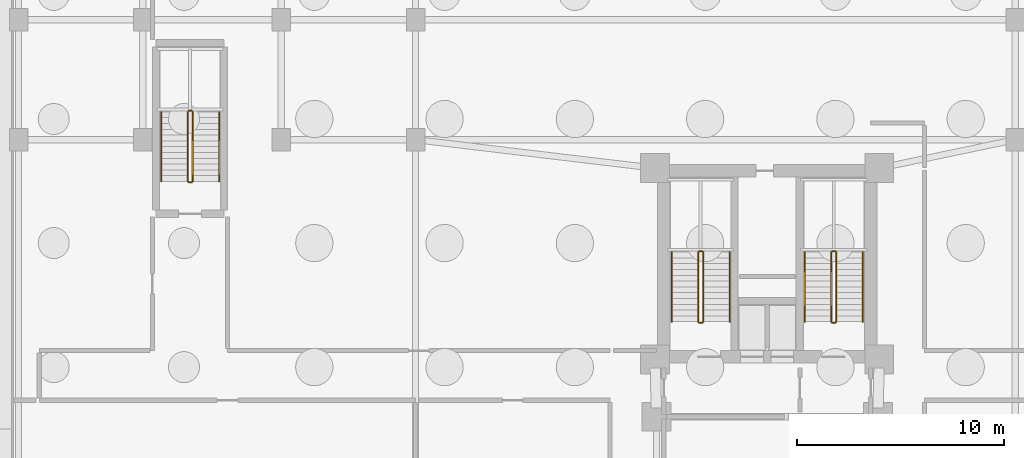
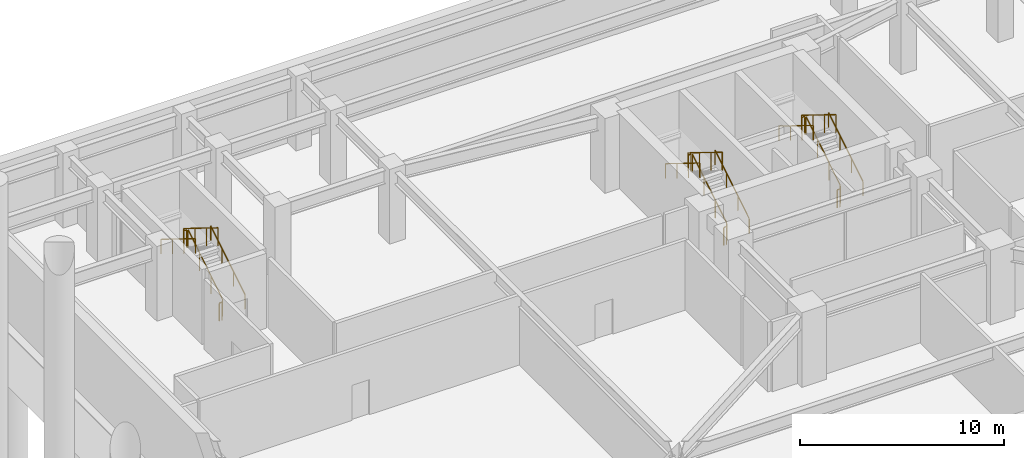
# One storey, part 6 of 7: 18 railings.
"""IFC4 building model written with IfcOpenShell, lengths in metres."""

from ifc_helpers import new_model, si_unit, direction, frame, origin, origin_2d, place, context, subcontext, project, spatial, rectangle, extrude, material, type_object, element, save


model = new_model("IFC4")

# Units and contexts
model_context = context("Model", 3, precision=1e-05, world=origin(), true_north=direction((0.0, 1.0)))
body_context = subcontext(model_context, "Body", "Model", "MODEL_VIEW")
ifc_project = project(units=[si_unit("LENGTHUNIT", "METRE"), si_unit("AREAUNIT", "SQUARE_METRE"), si_unit("VOLUMEUNIT", "CUBIC_METRE"), si_unit("PLANEANGLEUNIT", "RADIAN"), si_unit("MASSUNIT", "GRAM", prefix="KILO")], contexts=[model_context])

# Site, building, storey
site_placement = place(None, origin())
site = spatial("IfcSite", under=ifc_project, at=site_placement, CompositionType="ELEMENT")
building_placement = place(site_placement, origin())
building = spatial("IfcBuilding", under=site, at=building_placement, Name="Varnakorn Sky Granary", CompositionType="ELEMENT")
storey_placement = place(building_placement, frame((0.0, 0.0, -13.5)))
storey = spatial("IfcBuildingStorey", under=building, at=storey_placement, Name="B03", CompositionType="ELEMENT", Elevation=-13.5)

# Railings
ifc_material = material(Name="Brushed Stainless Steel 316", Category="steel")
railing_type_1 = type_object("IfcRailingType", Name="RL-STAIR-1100", PredefinedType="GUARDRAIL", material=ifc_material)
railing_1_placement = place(storey_placement, frame((-0.090087890625, 5.199951171875, 0.173095703125)))
element("IfcRailing", 1, at=railing_1_placement, inside=storey, type_object=railing_type_1, Name="B03 ST-1 stair guard 1", PredefinedType="GUARDRAIL", context=body_context, shape_type="SweptSolid", body=[
    extrude(rectangle(XDim=0.048095703125, YDim=0.048095703125, at=origin_2d()), frame((0.0, 0.0, 1.076171875), z_axis=(0.0, 0.850623216509, 0.525775754039), x_axis=(-1.0, 0.0, 0.0)), (0.0, 0.0, 1.0), 3.9501953125),
    extrude(rectangle(XDim=0.0419921875, YDim=0.0419921875, at=origin_2d()), origin(), (0.0, 0.0, 1.0), 1.048095703125),
    extrude(rectangle(XDim=0.0419921875, YDim=0.0419921875, at=origin_2d()), frame((0.0, 1.1201171875, 0.6923828125)), (0.0, 0.0, 1.0), 1.048095703125),
    extrude(rectangle(XDim=0.0419921875, YDim=0.0419921875, at=origin_2d()), frame((0.0, 2.239990234375, 1.384521484375)), (0.0, 0.0, 1.0), 1.048095703125),
    extrude(rectangle(XDim=0.0419921875, YDim=0.0419921875, at=origin_2d()), frame((0.0, 3.360107421875, 2.076904296875)), (0.0, 0.0, 1.0), 1.048095703125),
])
railing_2_placement = place(storey_placement, frame((-0.139892578125, 8.610107421875, 2.25)))
element("IfcRailing", 2, at=railing_2_placement, inside=storey, type_object=railing_type_1, Name="B03 ST-1 stair guard 2", PredefinedType="GUARDRAIL", context=body_context, shape_type="SweptSolid", body=[
    extrude(rectangle(XDim=0.048095703125, YDim=0.048095703125, at=origin_2d()), frame((0.0, 0.0, 1.076171875), z_axis=(-1.0, 0.0, 0.0), x_axis=(0.0, -1.0, 0.0)), (0.0, 0.0, 1.0), 0.150146484375),
    extrude(rectangle(XDim=0.0419921875, YDim=0.0419921875, at=origin_2d()), origin(), (0.0, 0.0, 1.0), 1.048095703125),
    extrude(rectangle(XDim=0.0419921875, YDim=0.0419921875, at=origin_2d()), frame((-0.150146484375, 0.0, 0.0)), (0.0, 0.0, 1.0), 1.048095703125),
])
railing_3_placement = place(storey_placement, frame((-0.340087890625, 8.56005859375, 2.423095703125)))
element("IfcRailing", 3, at=railing_3_placement, inside=storey, type_object=railing_type_1, Name="B03 ST-1 stair guard 3", PredefinedType="GUARDRAIL", context=body_context, shape_type="SweptSolid", body=[
    extrude(rectangle(XDim=0.048095703125, YDim=0.048095703125, at=origin_2d()), frame((0.0, 0.0, 1.076171875), z_axis=(0.0, -0.850623216509, 0.525775754039), x_axis=(1.0, 0.0, 0.0)), (0.0, 0.0, 1.0), 3.9501953125),
    extrude(rectangle(XDim=0.0419921875, YDim=0.0419921875, at=origin_2d()), origin(), (0.0, 0.0, 1.0), 1.048095703125),
    extrude(rectangle(XDim=0.0419921875, YDim=0.0419921875, at=origin_2d()), frame((0.0, -1.1201171875, 0.6923828125)), (0.0, 0.0, 1.0), 1.048095703125),
    extrude(rectangle(XDim=0.0419921875, YDim=0.0419921875, at=origin_2d()), frame((0.0, -2.239990234375, 1.384521484375)), (0.0, 0.0, 1.0), 1.048095703125),
    extrude(rectangle(XDim=0.0419921875, YDim=0.0419921875, at=origin_2d()), frame((0.0, -3.360107421875, 2.076904296875)), (0.0, 0.0, 1.0), 1.048095703125),
])
railing_4_placement = place(storey_placement, frame((-0.139892578125, 5.14990234375, 0.0)))
element("IfcRailing", 4, at=railing_4_placement, inside=storey, type_object=railing_type_1, Name="B03 ST-1 stair guard 4", PredefinedType="GUARDRAIL", context=body_context, shape_type="SweptSolid", body=[
    extrude(rectangle(XDim=0.048095703125, YDim=0.048095703125, at=origin_2d()), frame((0.0, 0.0, 1.076171875), z_axis=(-1.0, 0.0, 0.0), x_axis=(0.0, -1.0, 0.0)), (0.0, 0.0, 1.0), 0.150146484375),
    extrude(rectangle(XDim=0.0419921875, YDim=0.0419921875, at=origin_2d()), origin(), (0.0, 0.0, 1.0), 1.048095703125),
    extrude(rectangle(XDim=0.0419921875, YDim=0.0419921875, at=origin_2d()), frame((-0.150146484375, 0.0, 0.0)), (0.0, 0.0, 1.0), 1.048095703125),
])
railing_5_placement = place(storey_placement, frame((6.35009765625, 5.199951171875, 0.173095703125)))
element("IfcRailing", 5, at=railing_5_placement, inside=storey, type_object=railing_type_1, Name="B03 ST-2 stair guard 1", PredefinedType="GUARDRAIL", context=body_context, shape_type="SweptSolid", body=[
    extrude(rectangle(XDim=0.048095703125, YDim=0.048095703125, at=origin_2d()), frame((0.0, 0.0, 1.076171875), z_axis=(0.0, 0.850623216509, 0.525775754039), x_axis=(-1.0, 0.0, 0.0)), (0.0, 0.0, 1.0), 3.9501953125),
    extrude(rectangle(XDim=0.0419921875, YDim=0.0419921875, at=origin_2d()), origin(), (0.0, 0.0, 1.0), 1.048095703125),
    extrude(rectangle(XDim=0.0419921875, YDim=0.0419921875, at=origin_2d()), frame((0.0, 1.1201171875, 0.6923828125)), (0.0, 0.0, 1.0), 1.048095703125),
    extrude(rectangle(XDim=0.0419921875, YDim=0.0419921875, at=origin_2d()), frame((0.0, 2.239990234375, 1.384521484375)), (0.0, 0.0, 1.0), 1.048095703125),
    extrude(rectangle(XDim=0.0419921875, YDim=0.0419921875, at=origin_2d()), frame((0.0, 3.360107421875, 2.076904296875)), (0.0, 0.0, 1.0), 1.048095703125),
])
railing_6_placement = place(storey_placement, frame((6.300048828125, 8.610107421875, 2.25)))
element("IfcRailing", 6, at=railing_6_placement, inside=storey, type_object=railing_type_1, Name="B03 ST-2 stair guard 2", PredefinedType="GUARDRAIL", context=body_context, shape_type="SweptSolid", body=[
    extrude(rectangle(XDim=0.048095703125, YDim=0.048095703125, at=origin_2d()), frame((0.0, 0.0, 1.076171875), z_axis=(-1.0, 0.0, 0.0), x_axis=(0.0, -1.0, 0.0)), (0.0, 0.0, 1.0), 0.150146484375),
    extrude(rectangle(XDim=0.0419921875, YDim=0.0419921875, at=origin_2d()), origin(), (0.0, 0.0, 1.0), 1.048095703125),
    extrude(rectangle(XDim=0.0419921875, YDim=0.0419921875, at=origin_2d()), frame((-0.150146484375, 0.0, 0.0)), (0.0, 0.0, 1.0), 1.048095703125),
])
railing_7_placement = place(storey_placement, frame((6.10009765625, 8.56005859375, 2.423095703125)))
element("IfcRailing", 7, at=railing_7_placement, inside=storey, type_object=railing_type_1, Name="B03 ST-2 stair guard 3", PredefinedType="GUARDRAIL", context=body_context, shape_type="SweptSolid", body=[
    extrude(rectangle(XDim=0.048095703125, YDim=0.048095703125, at=origin_2d()), frame((0.0, 0.0, 1.076171875), z_axis=(0.0, -0.850623216509, 0.525775754039), x_axis=(1.0, 0.0, 0.0)), (0.0, 0.0, 1.0), 3.9501953125),
    extrude(rectangle(XDim=0.0419921875, YDim=0.0419921875, at=origin_2d()), origin(), (0.0, 0.0, 1.0), 1.048095703125),
    extrude(rectangle(XDim=0.0419921875, YDim=0.0419921875, at=origin_2d()), frame((0.0, -1.1201171875, 0.6923828125)), (0.0, 0.0, 1.0), 1.048095703125),
    extrude(rectangle(XDim=0.0419921875, YDim=0.0419921875, at=origin_2d()), frame((0.0, -2.239990234375, 1.384521484375)), (0.0, 0.0, 1.0), 1.048095703125),
    extrude(rectangle(XDim=0.0419921875, YDim=0.0419921875, at=origin_2d()), frame((0.0, -3.360107421875, 2.076904296875)), (0.0, 0.0, 1.0), 1.048095703125),
])
railing_8_placement = place(storey_placement, frame((6.300048828125, 5.14990234375, 0.0)))
element("IfcRailing", 8, at=railing_8_placement, inside=storey, type_object=railing_type_1, Name="B03 ST-2 stair guard 4", PredefinedType="GUARDRAIL", context=body_context, shape_type="SweptSolid", body=[
    extrude(rectangle(XDim=0.048095703125, YDim=0.048095703125, at=origin_2d()), frame((0.0, 0.0, 1.076171875), z_axis=(-1.0, 0.0, 0.0), x_axis=(0.0, -1.0, 0.0)), (0.0, 0.0, 1.0), 0.150146484375),
    extrude(rectangle(XDim=0.0419921875, YDim=0.0419921875, at=origin_2d()), origin(), (0.0, 0.0, 1.0), 1.048095703125),
    extrude(rectangle(XDim=0.0419921875, YDim=0.0419921875, at=origin_2d()), frame((-0.150146484375, 0.0, 0.0)), (0.0, 0.0, 1.0), 1.048095703125),
])
railing_9_placement = place(storey_placement, frame((-24.780029296875, 11.97998046875, 0.173095703125)))
element("IfcRailing", 9, at=railing_9_placement, inside=storey, type_object=railing_type_1, Name="B03 ST-B3 stair guard 1", PredefinedType="GUARDRAIL", context=body_context, shape_type="SweptSolid", body=[
    extrude(rectangle(XDim=0.048095703125, YDim=0.048095703125, at=origin_2d()), frame((0.0, 0.0, 1.076171875), z_axis=(0.0, 0.850623216509, 0.525775754039), x_axis=(-1.0, 0.0, 0.0)), (0.0, 0.0, 1.0), 3.9501953125),
    extrude(rectangle(XDim=0.0419921875, YDim=0.0419921875, at=origin_2d()), origin(), (0.0, 0.0, 1.0), 1.048095703125),
    extrude(rectangle(XDim=0.0419921875, YDim=0.0419921875, at=origin_2d()), frame((0.0, 1.1201171875, 0.6923828125)), (0.0, 0.0, 1.0), 1.048095703125),
    extrude(rectangle(XDim=0.0419921875, YDim=0.0419921875, at=origin_2d()), frame((0.0, 2.239990234375, 1.384521484375)), (0.0, 0.0, 1.0), 1.048095703125),
    extrude(rectangle(XDim=0.0419921875, YDim=0.0419921875, at=origin_2d()), frame((0.0, 3.360107421875, 2.076904296875)), (0.0, 0.0, 1.0), 1.048095703125),
])
railing_10_placement = place(storey_placement, frame((-24.830078125, 15.389892578125, 2.25)))
element("IfcRailing", 10, at=railing_10_placement, inside=storey, type_object=railing_type_1, Name="B03 ST-B3 stair guard 2", PredefinedType="GUARDRAIL", context=body_context, shape_type="SweptSolid", body=[
    extrude(rectangle(XDim=0.048095703125, YDim=0.048095703125, at=origin_2d()), frame((0.0, 0.0, 1.076171875), z_axis=(-1.0, 0.0, 0.0), x_axis=(0.0, -1.0, 0.0)), (0.0, 0.0, 1.0), 0.14990234375),
    extrude(rectangle(XDim=0.0419921875, YDim=0.0419921875, at=origin_2d()), origin(), (0.0, 0.0, 1.0), 1.048095703125),
    extrude(rectangle(XDim=0.0419921875, YDim=0.0419921875, at=origin_2d()), frame((-0.14990234375, 0.0, 0.0)), (0.0, 0.0, 1.0), 1.048095703125),
])
railing_11_placement = place(storey_placement, frame((-25.030029296875, 15.340087890625, 2.423095703125)))
element("IfcRailing", 11, at=railing_11_placement, inside=storey, type_object=railing_type_1, Name="B03 ST-B3 stair guard 3", PredefinedType="GUARDRAIL", context=body_context, shape_type="SweptSolid", body=[
    extrude(rectangle(XDim=0.048095703125, YDim=0.048095703125, at=origin_2d()), frame((0.0, 0.0, 1.076171875), z_axis=(0.0, -0.850623216509, 0.525775754039), x_axis=(1.0, 0.0, 0.0)), (0.0, 0.0, 1.0), 3.9501953125),
    extrude(rectangle(XDim=0.0419921875, YDim=0.0419921875, at=origin_2d()), origin(), (0.0, 0.0, 1.0), 1.048095703125),
    extrude(rectangle(XDim=0.0419921875, YDim=0.0419921875, at=origin_2d()), frame((0.0, -1.1201171875, 0.6923828125)), (0.0, 0.0, 1.0), 1.048095703125),
    extrude(rectangle(XDim=0.0419921875, YDim=0.0419921875, at=origin_2d()), frame((0.0, -2.239990234375, 1.384521484375)), (0.0, 0.0, 1.0), 1.048095703125),
    extrude(rectangle(XDim=0.0419921875, YDim=0.0419921875, at=origin_2d()), frame((0.0, -3.360107421875, 2.076904296875)), (0.0, 0.0, 1.0), 1.048095703125),
])
railing_12_placement = place(storey_placement, frame((-24.830078125, 11.929931640625, 0.0)))
element("IfcRailing", 12, at=railing_12_placement, inside=storey, type_object=railing_type_1, Name="B03 ST-B3 stair guard 4", PredefinedType="GUARDRAIL", context=body_context, shape_type="SweptSolid", body=[
    extrude(rectangle(XDim=0.048095703125, YDim=0.048095703125, at=origin_2d()), frame((0.0, 0.0, 1.076171875), z_axis=(-1.0, 0.0, 0.0), x_axis=(0.0, -1.0, 0.0)), (0.0, 0.0, 1.0), 0.14990234375),
    extrude(rectangle(XDim=0.0419921875, YDim=0.0419921875, at=origin_2d()), origin(), (0.0, 0.0, 1.0), 1.048095703125),
    extrude(rectangle(XDim=0.0419921875, YDim=0.0419921875, at=origin_2d()), frame((-0.14990234375, 0.0, 0.0)), (0.0, 0.0, 1.0), 1.048095703125),
])
railing_type_2 = type_object("IfcRailingType", Name="RL-STAIR-920", PredefinedType="HANDRAIL", material=ifc_material)
railing_13_placement = place(storey_placement, frame((1.18994140625, 5.199951171875, 0.173095703125)))
element("IfcRailing", 13, at=railing_13_placement, inside=storey, type_object=railing_type_2, Name="B03 ST-1 stair handrail 1", PredefinedType="HANDRAIL", context=body_context, shape_type="SweptSolid", body=[
    extrude(rectangle(XDim=0.048095703125, YDim=0.048095703125, at=origin_2d()), frame((0.0, 0.0, 0.8759765625), z_axis=(0.0, 0.850623216509, 0.525775754039), x_axis=(-1.0, 0.0, 0.0)), (0.0, 0.0, 1.0), 3.9501953125),
    extrude(rectangle(XDim=0.0419921875, YDim=0.0419921875, at=origin_2d()), origin(), (0.0, 0.0, 1.0), 0.847900390625),
    extrude(rectangle(XDim=0.0419921875, YDim=0.0419921875, at=origin_2d()), frame((0.0, 1.1201171875, 0.6923828125)), (0.0, 0.0, 1.0), 0.847900390625),
    extrude(rectangle(XDim=0.0419921875, YDim=0.0419921875, at=origin_2d()), frame((0.0, 2.239990234375, 1.384521484375)), (0.0, 0.0, 1.0), 0.847900390625),
    extrude(rectangle(XDim=0.0419921875, YDim=0.0419921875, at=origin_2d()), frame((0.0, 3.360107421875, 2.076904296875)), (0.0, 0.0, 1.0), 0.847900390625),
])
railing_14_placement = place(storey_placement, frame((-1.6201171875, 8.56005859375, 2.423095703125)))
element("IfcRailing", 14, at=railing_14_placement, inside=storey, type_object=railing_type_2, Name="B03 ST-1 stair handrail 2", PredefinedType="HANDRAIL", context=body_context, shape_type="SweptSolid", body=[
    extrude(rectangle(XDim=0.048095703125, YDim=0.048095703125, at=origin_2d()), frame((0.0, 0.0, 0.8759765625), z_axis=(0.0, -0.850623216509, 0.525775754039), x_axis=(1.0, 0.0, 0.0)), (0.0, 0.0, 1.0), 3.9501953125),
    extrude(rectangle(XDim=0.0419921875, YDim=0.0419921875, at=origin_2d()), origin(), (0.0, 0.0, 1.0), 0.847900390625),
    extrude(rectangle(XDim=0.0419921875, YDim=0.0419921875, at=origin_2d()), frame((0.0, -1.1201171875, 0.6923828125)), (0.0, 0.0, 1.0), 0.847900390625),
    extrude(rectangle(XDim=0.0419921875, YDim=0.0419921875, at=origin_2d()), frame((0.0, -2.239990234375, 1.384521484375)), (0.0, 0.0, 1.0), 0.847900390625),
    extrude(rectangle(XDim=0.0419921875, YDim=0.0419921875, at=origin_2d()), frame((0.0, -3.360107421875, 2.076904296875)), (0.0, 0.0, 1.0), 0.847900390625),
])
railing_15_placement = place(storey_placement, frame((7.6298828125, 5.199951171875, 0.173095703125)))
element("IfcRailing", 15, at=railing_15_placement, inside=storey, type_object=railing_type_2, Name="B03 ST-2 stair handrail 1", PredefinedType="HANDRAIL", context=body_context, shape_type="SweptSolid", body=[
    extrude(rectangle(XDim=0.048095703125, YDim=0.048095703125, at=origin_2d()), frame((0.0, 0.0, 0.8759765625), z_axis=(0.0, 0.850623216509, 0.525775754039), x_axis=(-1.0, 0.0, 0.0)), (0.0, 0.0, 1.0), 3.9501953125),
    extrude(rectangle(XDim=0.0419921875, YDim=0.0419921875, at=origin_2d()), origin(), (0.0, 0.0, 1.0), 0.847900390625),
    extrude(rectangle(XDim=0.0419921875, YDim=0.0419921875, at=origin_2d()), frame((0.0, 1.1201171875, 0.6923828125)), (0.0, 0.0, 1.0), 0.847900390625),
    extrude(rectangle(XDim=0.0419921875, YDim=0.0419921875, at=origin_2d()), frame((0.0, 2.239990234375, 1.384521484375)), (0.0, 0.0, 1.0), 0.847900390625),
    extrude(rectangle(XDim=0.0419921875, YDim=0.0419921875, at=origin_2d()), frame((0.0, 3.360107421875, 2.076904296875)), (0.0, 0.0, 1.0), 0.847900390625),
])
railing_16_placement = place(storey_placement, frame((4.820068359375, 8.56005859375, 2.423095703125)))
element("IfcRailing", 16, at=railing_16_placement, inside=storey, type_object=railing_type_2, Name="B03 ST-2 stair handrail 2", PredefinedType="HANDRAIL", context=body_context, shape_type="SweptSolid", body=[
    extrude(rectangle(XDim=0.048095703125, YDim=0.048095703125, at=origin_2d()), frame((0.0, 0.0, 0.8759765625), z_axis=(0.0, -0.850623216509, 0.525775754039), x_axis=(1.0, 0.0, 0.0)), (0.0, 0.0, 1.0), 3.9501953125),
    extrude(rectangle(XDim=0.0419921875, YDim=0.0419921875, at=origin_2d()), origin(), (0.0, 0.0, 1.0), 0.847900390625),
    extrude(rectangle(XDim=0.0419921875, YDim=0.0419921875, at=origin_2d()), frame((0.0, -1.1201171875, 0.6923828125)), (0.0, 0.0, 1.0), 0.847900390625),
    extrude(rectangle(XDim=0.0419921875, YDim=0.0419921875, at=origin_2d()), frame((0.0, -2.239990234375, 1.384521484375)), (0.0, 0.0, 1.0), 0.847900390625),
    extrude(rectangle(XDim=0.0419921875, YDim=0.0419921875, at=origin_2d()), frame((0.0, -3.360107421875, 2.076904296875)), (0.0, 0.0, 1.0), 0.847900390625),
])
railing_17_placement = place(storey_placement, frame((-23.5, 11.97998046875, 0.173095703125)))
element("IfcRailing", 17, at=railing_17_placement, inside=storey, type_object=railing_type_2, Name="B03 ST-B3 stair handrail 1", PredefinedType="HANDRAIL", context=body_context, shape_type="SweptSolid", body=[
    extrude(rectangle(XDim=0.048095703125, YDim=0.048095703125, at=origin_2d()), frame((0.0, 0.0, 0.8759765625), z_axis=(0.0, 0.850623216509, 0.525775754039), x_axis=(-1.0, 0.0, 0.0)), (0.0, 0.0, 1.0), 3.9501953125),
    extrude(rectangle(XDim=0.0419921875, YDim=0.0419921875, at=origin_2d()), origin(), (0.0, 0.0, 1.0), 0.847900390625),
    extrude(rectangle(XDim=0.0419921875, YDim=0.0419921875, at=origin_2d()), frame((0.0, 1.1201171875, 0.6923828125)), (0.0, 0.0, 1.0), 0.847900390625),
    extrude(rectangle(XDim=0.0419921875, YDim=0.0419921875, at=origin_2d()), frame((0.0, 2.239990234375, 1.384521484375)), (0.0, 0.0, 1.0), 0.847900390625),
    extrude(rectangle(XDim=0.0419921875, YDim=0.0419921875, at=origin_2d()), frame((0.0, 3.360107421875, 2.076904296875)), (0.0, 0.0, 1.0), 0.847900390625),
])
railing_18_placement = place(storey_placement, frame((-26.31005859375, 15.340087890625, 2.423095703125)))
element("IfcRailing", 18, at=railing_18_placement, inside=storey, type_object=railing_type_2, Name="B03 ST-B3 stair handrail 2", PredefinedType="HANDRAIL", context=body_context, shape_type="SweptSolid", body=[
    extrude(rectangle(XDim=0.048095703125, YDim=0.048095703125, at=origin_2d()), frame((0.0, 0.0, 0.8759765625), z_axis=(0.0, -0.850623216509, 0.525775754039), x_axis=(1.0, 0.0, 0.0)), (0.0, 0.0, 1.0), 3.9501953125),
    extrude(rectangle(XDim=0.0419921875, YDim=0.0419921875, at=origin_2d()), origin(), (0.0, 0.0, 1.0), 0.847900390625),
    extrude(rectangle(XDim=0.0419921875, YDim=0.0419921875, at=origin_2d()), frame((0.0, -1.1201171875, 0.6923828125)), (0.0, 0.0, 1.0), 0.847900390625),
    extrude(rectangle(XDim=0.0419921875, YDim=0.0419921875, at=origin_2d()), frame((0.0, -2.239990234375, 1.384521484375)), (0.0, 0.0, 1.0), 0.847900390625),
    extrude(rectangle(XDim=0.0419921875, YDim=0.0419921875, at=origin_2d()), frame((0.0, -3.360107421875, 2.076904296875)), (0.0, 0.0, 1.0), 0.847900390625),
])

save(model, "model.ifc")
